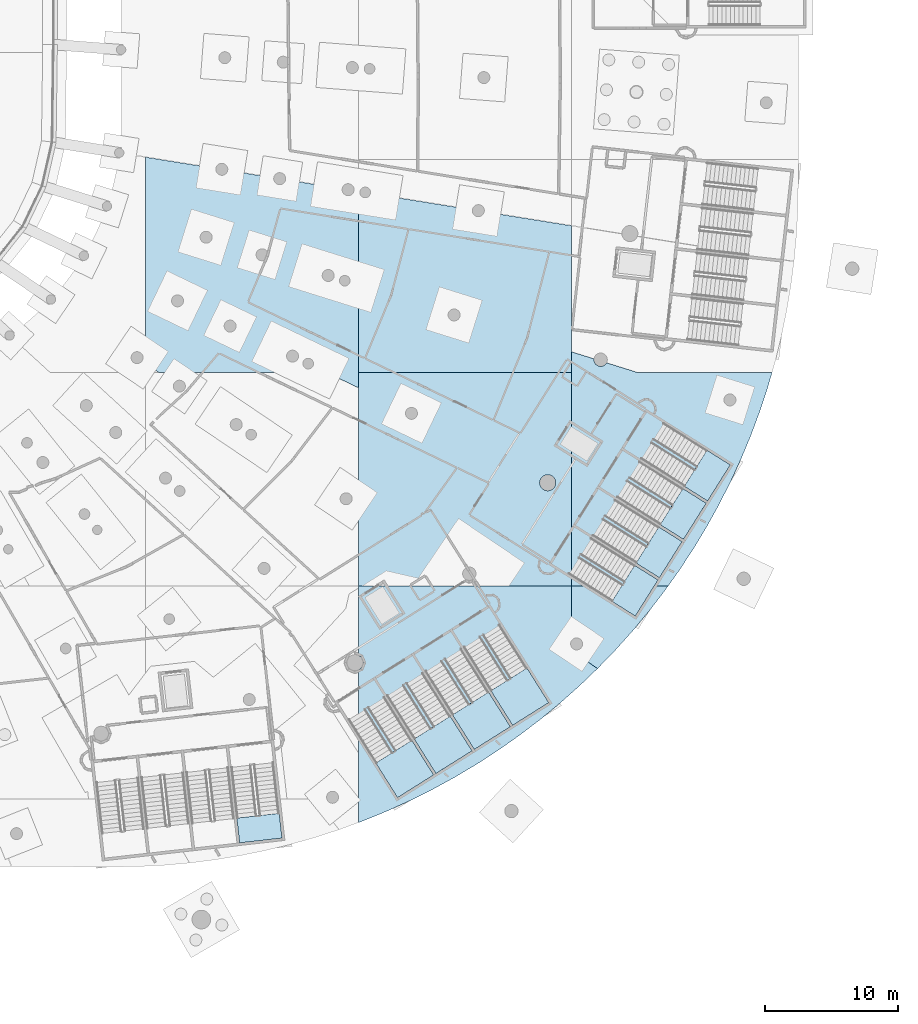
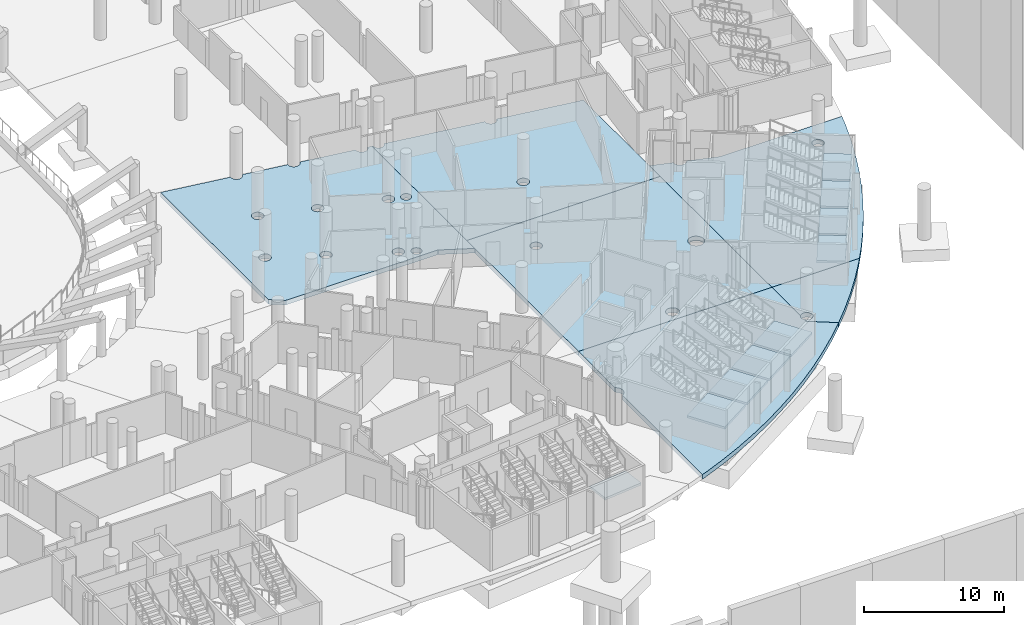
# One storey, part 22 of 142: 15 slabs, 9 elements without a shape of their own.
"""IFC4 building model written with IfcOpenShell, lengths in metres."""

from ifc_helpers import new_model, si_unit, direction, frame, origin, place, context, subcontext, project, spatial, polyline, outline, extrude, material, layer, layer_set, type_object, element, aggregate, save


model = new_model("IFC4")

# Units and contexts
model_context = context("Model", 3, precision=1e-05, world=origin(), true_north=direction((0.0, 1.0)))
body_context = subcontext(model_context, "Body", "Model", "MODEL_VIEW")
ifc_project = project(units=[si_unit("LENGTHUNIT", "METRE"), si_unit("AREAUNIT", "SQUARE_METRE"), si_unit("VOLUMEUNIT", "CUBIC_METRE"), si_unit("PLANEANGLEUNIT", "RADIAN"), si_unit("MASSUNIT", "GRAM", prefix="KILO")], contexts=[model_context])

# Site, building, storey
site_placement = place(None, origin())
site = spatial("IfcSite", under=ifc_project, at=site_placement, CompositionType="ELEMENT")
building_placement = place(site_placement, origin())
building = spatial("IfcBuilding", under=site, at=building_placement, Name="Meseta Stadium", CompositionType="ELEMENT")
storey_placement = place(building_placement, frame((0.0, 0.0, -4.0)))
storey = spatial("IfcBuildingStorey", under=building, at=storey_placement, Name="B1", CompositionType="ELEMENT", Elevation=-4.0)

# Slabs
ifc_material_1 = material(Name="Concrete C30/37", Category="concrete")
ifc_layer_1 = layer(ifc_material_1, 0.39990234375)
ifc_layer_set_1 = layer_set([ifc_layer_1], Name="Base slab 400")
slab_type_1 = type_object("IfcSlabType", Name="Base slab 400", PredefinedType="BASESLAB", material=ifc_layer_set_1)
slab_1_placement = place(storey_placement, frame((0.0, 0.0, -0.39990234375)))
element("IfcSlab", 1, at=slab_1_placement, inside=storey, type_object=slab_type_1, Name="Base slab B1 sector 49 panel 07", PredefinedType="BASESLAB", context=body_context, shape_type="SweptSolid", body=[
    extrude(outline(polyline([(53.489013671875, -49.12255859375), (53.420654296875, -49.06640625), (53.3642578125, -48.997802734375), (53.322509765625, -48.919677734375), (53.296875, -48.834716796875), (53.2880859375, -48.74658203125), (53.294189453125, -48.684814453125), (48.0, -47.83203125), (48.0, -63.2978515625), (49.0400390625, -64.0), (61.614013671875, -64.0), (64.0, -65.1474609375), (64.0, -50.4091796875), (63.662353515625, -50.354736328125), (63.66162109375, -50.361083984375), (63.635986328125, -50.446044921875), (63.593994140625, -50.524169921875), (63.537841796875, -50.5927734375), (63.469482421875, -50.64892578125), (63.39111328125, -50.69091796875), (63.306396484375, -50.716552734375), (63.21826171875, -50.72509765625), (63.1298828125, -50.716552734375), (63.045166015625, -50.69091796875), (62.966796875, -50.64892578125), (62.8984375, -50.5927734375), (62.84228515625, -50.524169921875), (62.80029296875, -50.446044921875), (62.774658203125, -50.361083984375), (62.76611328125, -50.27294921875), (62.772216796875, -50.211181640625), (58.5283203125, -49.52783203125), (58.52783203125, -49.534423828125), (58.502197265625, -49.619140625), (58.460205078125, -49.697509765625), (58.404052734375, -49.765869140625), (58.33544921875, -49.822021484375), (58.25732421875, -49.864013671875), (58.172607421875, -49.8896484375), (58.084228515625, -49.8984375), (57.99609375, -49.8896484375), (57.911376953125, -49.864013671875), (57.8330078125, -49.822021484375), (57.7646484375, -49.765869140625), (57.708251953125, -49.697509765625), (57.66650390625, -49.619140625), (57.640869140625, -49.534423828125), (57.632080078125, -49.4462890625), (57.63818359375, -49.384521484375), (54.184326171875, -48.828125), (54.183837890625, -48.834716796875), (54.157958984375, -48.919677734375), (54.1162109375, -48.997802734375), (54.06005859375, -49.06640625), (53.991455078125, -49.12255859375), (53.913330078125, -49.164306640625), (53.82861328125, -49.18994140625), (53.740234375, -49.19873046875), (53.652099609375, -49.18994140625), (53.5673828125, -49.164306640625), (53.489013671875, -49.12255859375)]), holes=[polyline([(60.6162109375, -63.252197265625), (60.6240234375, -63.33056640625), (60.6162109375, -63.408935546875), (60.593505859375, -63.484375), (60.556396484375, -63.5537109375), (60.50634765625, -63.61474609375), (60.4453125, -63.664794921875), (60.3759765625, -63.701904296875), (60.300537109375, -63.724853515625), (60.22216796875, -63.732421875), (60.143798828125, -63.724853515625), (60.068359375, -63.701904296875), (59.998779296875, -63.664794921875), (59.93798828125, -63.61474609375), (59.887939453125, -63.5537109375), (59.850830078125, -63.484375), (59.827880859375, -63.408935546875), (59.8203125, -63.33056640625), (59.827880859375, -63.252197265625), (59.850830078125, -63.1767578125), (59.887939453125, -63.107177734375), (59.93798828125, -63.04638671875), (59.998779296875, -62.996337890625), (60.068359375, -62.959228515625), (60.143798828125, -62.936279296875), (60.22216796875, -62.9287109375), (60.300537109375, -62.936279296875), (60.3759765625, -62.959228515625), (60.4453125, -62.996337890625), (60.50634765625, -63.04638671875), (60.556396484375, -63.107177734375), (60.593505859375, -63.1767578125), (60.6162109375, -63.252197265625)]), polyline([(59.492431640625, -62.677978515625), (59.501220703125, -62.766357421875), (59.492431640625, -62.8544921875), (59.466796875, -62.939453125), (59.425048828125, -63.017578125), (59.36865234375, -63.086181640625), (59.30029296875, -63.142333984375), (59.221923828125, -63.18408203125), (59.13720703125, -63.209716796875), (59.049072265625, -63.218505859375), (58.960693359375, -63.209716796875), (58.8759765625, -63.18408203125), (58.7978515625, -63.142333984375), (58.729248046875, -63.086181640625), (58.673095703125, -63.017578125), (58.631103515625, -62.939453125), (58.60546875, -62.8544921875), (58.5966796875, -62.766357421875), (58.60546875, -62.677978515625), (58.631103515625, -62.59326171875), (58.673095703125, -62.51513671875), (58.729248046875, -62.446533203125), (58.7978515625, -62.390380859375), (58.8759765625, -62.3486328125), (58.960693359375, -62.322998046875), (59.049072265625, -62.314208984375), (59.13720703125, -62.322998046875), (59.221923828125, -62.3486328125), (59.30029296875, -62.390380859375), (59.36865234375, -62.446533203125), (59.425048828125, -62.51513671875), (59.466796875, -62.59326171875), (59.492431640625, -62.677978515625)]), polyline([(54.807861328125, -60.42529296875), (54.81640625, -60.513427734375), (54.807861328125, -60.6015625), (54.781982421875, -60.686279296875), (54.740234375, -60.7646484375), (54.68408203125, -60.8330078125), (54.615478515625, -60.889404296875), (54.537353515625, -60.93115234375), (54.452392578125, -60.956787109375), (54.3642578125, -60.965576171875), (54.276123046875, -60.956787109375), (54.19140625, -60.93115234375), (54.113037109375, -60.889404296875), (54.044677734375, -60.8330078125), (53.98828125, -60.7646484375), (53.946533203125, -60.686279296875), (53.9208984375, -60.6015625), (53.912109375, -60.513427734375), (53.9208984375, -60.42529296875), (53.946533203125, -60.34033203125), (53.98828125, -60.26220703125), (54.044677734375, -60.193603515625), (54.113037109375, -60.137451171875), (54.19140625, -60.095703125), (54.276123046875, -60.06982421875), (54.3642578125, -60.061279296875), (54.452392578125, -60.06982421875), (54.537353515625, -60.095703125), (54.615478515625, -60.137451171875), (54.68408203125, -60.193603515625), (54.740234375, -60.26220703125), (54.781982421875, -60.34033203125), (54.807861328125, -60.42529296875)]), polyline([(50.85986328125, -58.526611328125), (50.86865234375, -58.61474609375), (50.85986328125, -58.702880859375), (50.834228515625, -58.787841796875), (50.79248046875, -58.865966796875), (50.736083984375, -58.9345703125), (50.667724609375, -58.99072265625), (50.589599609375, -59.032470703125), (50.504638671875, -59.058349609375), (50.41650390625, -59.06689453125), (50.328125, -59.058349609375), (50.243408203125, -59.032470703125), (50.165283203125, -58.99072265625), (50.0966796875, -58.9345703125), (50.04052734375, -58.865966796875), (49.998779296875, -58.787841796875), (49.972900390625, -58.702880859375), (49.96435546875, -58.61474609375), (49.972900390625, -58.526611328125), (49.998779296875, -58.441650390625), (50.04052734375, -58.363525390625), (50.0966796875, -58.294921875), (50.165283203125, -58.23876953125), (50.243408203125, -58.197021484375), (50.328125, -58.17138671875), (50.41650390625, -58.16259765625), (50.504638671875, -58.17138671875), (50.589599609375, -58.197021484375), (50.667724609375, -58.23876953125), (50.736083984375, -58.294921875), (50.79248046875, -58.363525390625), (50.834228515625, -58.441650390625), (50.85986328125, -58.526611328125)]), polyline([(63.247802734375, -56.8203125), (63.2978515625, -56.881103515625), (63.3349609375, -56.95068359375), (63.35791015625, -57.02587890625), (63.365478515625, -57.1044921875), (63.35791015625, -57.182861328125), (63.3349609375, -57.25830078125), (63.2978515625, -57.32763671875), (63.247802734375, -57.388671875), (63.18701171875, -57.438720703125), (63.117431640625, -57.4755859375), (63.0419921875, -57.49853515625), (62.963623046875, -57.50634765625), (62.88525390625, -57.49853515625), (62.809814453125, -57.4755859375), (62.740234375, -57.438720703125), (62.679443359375, -57.388671875), (62.62939453125, -57.32763671875), (62.59228515625, -57.25830078125), (62.5693359375, -57.182861328125), (62.561767578125, -57.1044921875), (62.5693359375, -57.02587890625), (62.59228515625, -56.95068359375), (62.62939453125, -56.881103515625), (62.679443359375, -56.8203125), (62.740234375, -56.770263671875), (62.809814453125, -56.733154296875), (62.88525390625, -56.710205078125), (62.963623046875, -56.702392578125), (63.0419921875, -56.710205078125), (63.117431640625, -56.733154296875), (63.18701171875, -56.770263671875), (63.247802734375, -56.8203125)]), polyline([(62.04296875, -56.395751953125), (62.09912109375, -56.46435546875), (62.140869140625, -56.54248046875), (62.16650390625, -56.627197265625), (62.17529296875, -56.715576171875), (62.16650390625, -56.8037109375), (62.140869140625, -56.888427734375), (62.09912109375, -56.966796875), (62.04296875, -57.03515625), (61.974365234375, -57.09130859375), (61.896240234375, -57.13330078125), (61.811279296875, -57.158935546875), (61.72314453125, -57.16748046875), (61.635009765625, -57.158935546875), (61.550048828125, -57.13330078125), (61.471923828125, -57.09130859375), (61.4033203125, -57.03515625), (61.34716796875, -56.966796875), (61.305419921875, -56.888427734375), (61.27978515625, -56.8037109375), (61.27099609375, -56.715576171875), (61.27978515625, -56.627197265625), (61.305419921875, -56.54248046875), (61.34716796875, -56.46435546875), (61.4033203125, -56.395751953125), (61.471923828125, -56.339599609375), (61.550048828125, -56.297607421875), (61.635009765625, -56.27197265625), (61.72314453125, -56.26318359375), (61.811279296875, -56.27197265625), (61.896240234375, -56.297607421875), (61.974365234375, -56.339599609375), (62.04296875, -56.395751953125)]), polyline([(57.0810546875, -54.840087890625), (57.13720703125, -54.90869140625), (57.17919921875, -54.98681640625), (57.204833984375, -55.071533203125), (57.21337890625, -55.159912109375), (57.204833984375, -55.248046875), (57.17919921875, -55.332763671875), (57.13720703125, -55.410888671875), (57.0810546875, -55.4794921875), (57.012451171875, -55.53564453125), (56.934326171875, -55.577392578125), (56.849609375, -55.603271484375), (56.76123046875, -55.612060546875), (56.673095703125, -55.603271484375), (56.58837890625, -55.577392578125), (56.510009765625, -55.53564453125), (56.441650390625, -55.4794921875), (56.38525390625, -55.410888671875), (56.343505859375, -55.332763671875), (56.31787109375, -55.248046875), (56.30908203125, -55.159912109375), (56.31787109375, -55.071533203125), (56.343505859375, -54.98681640625), (56.38525390625, -54.90869140625), (56.441650390625, -54.840087890625), (56.510009765625, -54.78369140625), (56.58837890625, -54.741943359375), (56.673095703125, -54.71630859375), (56.76123046875, -54.70751953125), (56.849609375, -54.71630859375), (56.934326171875, -54.741943359375), (57.012451171875, -54.78369140625), (57.0810546875, -54.840087890625)]), polyline([(52.882568359375, -53.523681640625), (52.938720703125, -53.59228515625), (52.980712890625, -53.67041015625), (53.00634765625, -53.755126953125), (53.014892578125, -53.843505859375), (53.00634765625, -53.931640625), (52.980712890625, -54.0166015625), (52.938720703125, -54.094482421875), (52.882568359375, -54.1630859375), (52.814208984375, -54.219482421875), (52.73583984375, -54.26123046875), (52.651123046875, -54.286865234375), (52.562744140625, -54.295654296875), (52.474609375, -54.286865234375), (52.389892578125, -54.26123046875), (52.3115234375, -54.219482421875), (52.2431640625, -54.1630859375), (52.18701171875, -54.094482421875), (52.14501953125, -54.0166015625), (52.119384765625, -53.931640625), (52.110595703125, -53.843505859375), (52.119384765625, -53.755126953125), (52.14501953125, -53.67041015625), (52.18701171875, -53.59228515625), (52.2431640625, -53.523681640625), (52.3115234375, -53.46728515625), (52.389892578125, -53.42578125), (52.474609375, -53.39990234375), (52.562744140625, -53.39111328125), (52.651123046875, -53.39990234375), (52.73583984375, -53.42578125), (52.814208984375, -53.46728515625), (52.882568359375, -53.523681640625)])]), origin(), (0.0, 0.0, 1.0), 0.39990234375),
])
slab_2_placement = place(storey_placement, frame((0.0, 0.0, -0.39990234375)))
element("IfcSlab", 2, at=slab_2_placement, inside=storey, type_object=slab_type_1, Name="Base slab B1 sector 49 panel 10", PredefinedType="BASESLAB", context=body_context, shape_type="SweptSolid", body=[
    extrude(outline(polyline([(64.322509765625, -85.888427734375), (64.2880859375, -86.001708984375), (64.232421875, -86.10595703125), (64.157470703125, -86.197265625), (64.066162109375, -86.272216796875), (64.0, -86.3076171875), (64.0, -97.771484375), (64.35009765625, -97.643310546875), (66.127685546875, -96.915771484375), (67.876953125, -96.121826171875), (69.594970703125, -95.262939453125), (71.279296875, -94.340087890625), (72.927978515625, -93.3544921875), (74.53857421875, -92.3076171875), (76.108642578125, -91.201171875), (77.635986328125, -90.036376953125), (79.118408203125, -88.815185546875), (80.55419921875, -87.5390625), (81.940673828125, -86.2099609375), (80.0, -84.89990234375), (80.0, -84.62939453125), (79.989501953125, -84.61669921875), (79.947509765625, -84.538330078125), (79.921875, -84.45361328125), (79.9130859375, -84.365478515625), (79.921875, -84.277099609375), (79.947509765625, -84.1923828125), (79.989501953125, -84.1142578125), (80.0, -84.101318359375), (80.0, -80.0), (64.0, -80.0), (64.0, -85.234130859375), (64.066162109375, -85.26953125), (64.157470703125, -85.344482421875), (64.232421875, -85.43603515625), (64.2880859375, -85.540283203125), (64.322509765625, -85.6533203125), (64.333984375, -85.77099609375), (64.322509765625, -85.888427734375)])), origin(), (0.0, 0.0, 1.0), 0.39990234375),
])
slab_3_placement = place(storey_placement, frame((0.0, 0.0, -0.39990234375)))
element("IfcSlab", 3, at=slab_3_placement, inside=storey, type_object=slab_type_1, Name="Base slab B1 sector 49 panel 11", PredefinedType="BASESLAB", context=body_context, shape_type="SweptSolid", body=[
    extrude(outline(polyline([(64.0, -64.0), (80.0, -64.0), (80.0, -52.98583984375), (73.436279296875, -51.9287109375), (73.435791015625, -51.935302734375), (73.409912109375, -52.020263671875), (73.3681640625, -52.098388671875), (73.31201171875, -52.1669921875), (73.243408203125, -52.22314453125), (73.165283203125, -52.264892578125), (73.080322265625, -52.290771484375), (72.9921875, -52.29931640625), (72.904052734375, -52.290771484375), (72.819091796875, -52.264892578125), (72.740966796875, -52.22314453125), (72.672607421875, -52.1669921875), (72.6162109375, -52.098388671875), (72.574462890625, -52.020263671875), (72.548583984375, -51.935302734375), (72.5400390625, -51.84716796875), (72.546142578125, -51.785400390625), (64.896240234375, -50.553466796875), (64.895751953125, -50.55810546875), (64.873046875, -50.633544921875), (64.835693359375, -50.702880859375), (64.785888671875, -50.763916015625), (64.724853515625, -50.81396484375), (64.655517578125, -50.85107421875), (64.580078125, -50.873779296875), (64.501708984375, -50.881591796875), (64.423095703125, -50.873779296875), (64.347900390625, -50.85107421875), (64.2783203125, -50.81396484375), (64.21728515625, -50.763916015625), (64.16748046875, -50.702880859375), (64.13037109375, -50.633544921875), (64.107421875, -50.55810546875), (64.099609375, -50.479736328125), (64.10498046875, -50.426025390625), (64.0, -50.4091796875), (64.0, -64.0)]), holes=[polyline([(70.751953125, -59.850341796875), (70.726318359375, -59.765380859375), (70.717529296875, -59.67724609375), (70.726318359375, -59.589111328125), (70.751953125, -59.504150390625), (70.793701171875, -59.426025390625), (70.85009765625, -59.357421875), (70.91845703125, -59.30126953125), (70.99658203125, -59.259521484375), (71.08154296875, -59.23388671875), (71.169677734375, -59.22509765625), (71.2578125, -59.23388671875), (71.3427734375, -59.259521484375), (71.4208984375, -59.30126953125), (71.489501953125, -59.357421875), (71.545654296875, -59.426025390625), (71.58740234375, -59.504150390625), (71.61328125, -59.589111328125), (71.621826171875, -59.67724609375), (71.61328125, -59.765380859375), (71.58740234375, -59.850341796875), (71.545654296875, -59.928466796875), (71.489501953125, -59.9970703125), (71.4208984375, -60.05322265625), (71.3427734375, -60.094970703125), (71.2578125, -60.120849609375), (71.169677734375, -60.12939453125), (71.08154296875, -60.120849609375), (70.99658203125, -60.094970703125), (70.91845703125, -60.05322265625), (70.85009765625, -59.9970703125), (70.793701171875, -59.928466796875), (70.751953125, -59.850341796875)])]), origin(), (0.0, 0.0, 1.0), 0.39990234375),
])
slab_4_placement = place(storey_placement, frame((0.0, 0.0, -0.39990234375)))
element("IfcSlab", 4, at=slab_4_placement, inside=storey, type_object=slab_type_1, Name="Base slab B1 sector 49 panel 12", PredefinedType="BASESLAB", context=body_context, shape_type="SweptSolid", body=[
    extrude(outline(polyline([(64.0, -80.0), (80.0, -80.0), (80.0, -64.0), (64.0, -64.0), (64.0, -80.0)]), holes=[polyline([(67.52880859375, -66.969482421875), (67.5546875, -66.884765625), (67.596435546875, -66.806640625), (67.652587890625, -66.738037109375), (67.72119140625, -66.681884765625), (67.79931640625, -66.64013671875), (67.88427734375, -66.614501953125), (67.972412109375, -66.605712890625), (68.060546875, -66.614501953125), (68.1455078125, -66.64013671875), (68.2236328125, -66.681884765625), (68.292236328125, -66.738037109375), (68.348388671875, -66.806640625), (68.39013671875, -66.884765625), (68.416015625, -66.969482421875), (68.424560546875, -67.057861328125), (68.416015625, -67.14599609375), (68.39013671875, -67.23095703125), (68.348388671875, -67.30908203125), (68.292236328125, -67.377685546875), (68.2236328125, -67.433837890625), (68.1455078125, -67.4755859375), (68.060546875, -67.501220703125), (67.972412109375, -67.510009765625), (67.88427734375, -67.501220703125), (67.79931640625, -67.4755859375), (67.72119140625, -67.433837890625), (67.652587890625, -67.377685546875), (67.596435546875, -67.30908203125), (67.5546875, -67.23095703125), (67.52880859375, -67.14599609375), (67.520263671875, -67.057861328125), (67.52880859375, -66.969482421875)]), polyline([(77.696533203125, -71.93701171875), (77.771484375, -71.845703125), (77.863037109375, -71.770751953125), (77.96728515625, -71.715087890625), (78.080322265625, -71.6806640625), (78.197998046875, -71.669189453125), (78.3154296875, -71.6806640625), (78.4287109375, -71.715087890625), (78.532958984375, -71.770751953125), (78.624267578125, -71.845703125), (78.69921875, -71.93701171875), (78.7548828125, -72.041259765625), (78.789306640625, -72.154296875), (78.80078125, -72.27197265625), (78.789306640625, -72.3896484375), (78.7548828125, -72.502685546875), (78.69921875, -72.60693359375), (78.624267578125, -72.6982421875), (78.532958984375, -72.773193359375), (78.4287109375, -72.8291015625), (78.3154296875, -72.86328125), (78.197998046875, -72.875), (78.080322265625, -72.86328125), (77.96728515625, -72.8291015625), (77.863037109375, -72.773193359375), (77.771484375, -72.6982421875), (77.696533203125, -72.60693359375), (77.640869140625, -72.502685546875), (77.606689453125, -72.3896484375), (77.594970703125, -72.27197265625), (77.606689453125, -72.154296875), (77.640869140625, -72.041259765625), (77.696533203125, -71.93701171875)]), polyline([(72.776123046875, -79.283203125), (72.729736328125, -79.3701171875), (72.667236328125, -79.4462890625), (72.591064453125, -79.5087890625), (72.504150390625, -79.55517578125), (72.409912109375, -79.583740234375), (72.31201171875, -79.593505859375), (72.2138671875, -79.583740234375), (72.11962890625, -79.55517578125), (72.03271484375, -79.5087890625), (71.956787109375, -79.4462890625), (71.894287109375, -79.3701171875), (71.847900390625, -79.283203125), (71.819091796875, -79.18896484375), (71.8095703125, -79.091064453125), (71.819091796875, -78.992919921875), (71.847900390625, -78.898681640625), (71.894287109375, -78.81201171875), (71.956787109375, -78.735595703125), (72.03271484375, -78.67333984375), (72.11962890625, -78.626708984375), (72.2138671875, -78.59814453125), (72.31201171875, -78.588623046875), (72.409912109375, -78.59814453125), (72.504150390625, -78.626708984375), (72.591064453125, -78.67333984375), (72.667236328125, -78.735595703125), (72.729736328125, -78.81201171875), (72.776123046875, -78.898681640625), (72.8046875, -78.992919921875), (72.814453125, -79.091064453125), (72.8046875, -79.18896484375), (72.776123046875, -79.283203125)])]), origin(), (0.0, 0.0, 1.0), 0.39990234375),
])
slab_5_placement = place(storey_placement, frame((0.0, 0.0, -0.39990234375)))
element("IfcSlab", 5, at=slab_5_placement, inside=storey, type_object=slab_type_1, Name="Base slab B1 sector 49 panel 13", PredefinedType="BASESLAB", context=body_context, shape_type="SweptSolid", body=[
    extrude(outline(polyline([(85.787841796875, -81.923828125), (86.9599609375, -80.402099609375), (87.246337890625, -80.0), (80.0, -80.0), (80.0, -84.101318359375), (80.045654296875, -84.045654296875), (80.1142578125, -83.989501953125), (80.1923828125, -83.947509765625), (80.277099609375, -83.921875), (80.365478515625, -83.9130859375), (80.45361328125, -83.921875), (80.538330078125, -83.947509765625), (80.61669921875, -83.989501953125), (80.68505859375, -84.045654296875), (80.741455078125, -84.1142578125), (80.783203125, -84.1923828125), (80.808837890625, -84.277099609375), (80.817626953125, -84.365478515625), (80.808837890625, -84.45361328125), (80.783203125, -84.538330078125), (80.741455078125, -84.61669921875), (80.68505859375, -84.68505859375), (80.61669921875, -84.741455078125), (80.538330078125, -84.783203125), (80.45361328125, -84.808837890625), (80.365478515625, -84.817626953125), (80.277099609375, -84.808837890625), (80.1923828125, -84.783203125), (80.1142578125, -84.741455078125), (80.045654296875, -84.68505859375), (80.0, -84.62939453125), (80.0, -84.89990234375), (81.940673828125, -86.2099609375), (83.276611328125, -84.829833984375), (84.5595703125, -83.400390625), (85.787841796875, -81.923828125)])), origin(), (0.0, 0.0, 1.0), 0.39990234375),
])
slab_6_placement = place(storey_placement, frame((0.0, 0.0, -0.39990234375)))
element("IfcSlab", 6, at=slab_6_placement, inside=storey, type_object=slab_type_1, Name="Base slab B1 sector 49 panel 14", PredefinedType="BASESLAB", context=body_context, shape_type="SweptSolid", body=[
    extrude(outline(polyline([(82.071044921875, -63.526611328125), (81.976806640625, -63.498046875), (81.889892578125, -63.45166015625), (81.81396484375, -63.38916015625), (81.75146484375, -63.31298828125), (81.704833984375, -63.22607421875), (81.676513671875, -63.1318359375), (81.666748046875, -63.03369140625), (81.673095703125, -62.970458984375), (80.0, -62.44580078125), (80.0, -80.0), (87.246337890625, -80.0), (88.073974609375, -78.837646484375), (89.12841796875, -77.232421875), (90.121826171875, -75.58837890625), (91.052978515625, -73.908447265625), (91.920166015625, -72.19482421875), (92.722412109375, -70.44970703125), (93.458740234375, -68.67578125), (94.127685546875, -66.875244140625), (94.728759765625, -65.051025390625), (95.03173828125, -64.0), (84.956787109375, -64.0), (82.612548828125, -63.264892578125), (82.5869140625, -63.31298828125), (82.5244140625, -63.38916015625), (82.4482421875, -63.45166015625), (82.361328125, -63.498046875), (82.26708984375, -63.526611328125), (82.169189453125, -63.5361328125), (82.071044921875, -63.526611328125)]), holes=[polyline([(91.496826171875, -66.302734375), (91.455078125, -66.224609375), (91.42919921875, -66.139892578125), (91.420654296875, -66.051513671875), (91.42919921875, -65.96337890625), (91.455078125, -65.87841796875), (91.496826171875, -65.80029296875), (91.552978515625, -65.731689453125), (91.62158203125, -65.675537109375), (91.69970703125, -65.6337890625), (91.784423828125, -65.608154296875), (91.872802734375, -65.599365234375), (91.9609375, -65.608154296875), (92.0458984375, -65.6337890625), (92.123779296875, -65.675537109375), (92.1923828125, -65.731689453125), (92.248779296875, -65.80029296875), (92.29052734375, -65.87841796875), (92.316162109375, -65.96337890625), (92.324951171875, -66.051513671875), (92.316162109375, -66.139892578125), (92.29052734375, -66.224609375), (92.248779296875, -66.302734375), (92.1923828125, -66.371337890625), (92.123779296875, -66.427490234375), (92.0458984375, -66.46923828125), (91.9609375, -66.4951171875), (91.872802734375, -66.503662109375), (91.784423828125, -66.4951171875), (91.69970703125, -66.46923828125), (91.62158203125, -66.427490234375), (91.552978515625, -66.371337890625), (91.496826171875, -66.302734375)])]), origin(), (0.0, 0.0, 1.0), 0.39990234375),
])

# Stair, slab
ifc_material_2 = material(Name="Concrete C40/50", Category="concrete")
stair_type = type_object("IfcStairType", Name="Exit stair 2 flights 154 mm risers", PredefinedType="HALF_TURN_STAIR", material=ifc_material_2)
stair_1_placement = place(storey_placement, origin())
stair_1 = element("IfcStair", 7, at=stair_1_placement, inside=storey, type_object=stair_type, Name="ST104 B1", PredefinedType="HALF_TURN_STAIR")
ifc_material_3 = material(Name="Concrete C40/50", Category="concrete")
ifc_layer_2 = layer(ifc_material_3, 0.199951171875)
ifc_layer_set_2 = layer_set([ifc_layer_2], Name="Stair landing 200")
slab_type_2 = type_object("IfcSlabType", Name="Stair landing 200", PredefinedType="LANDING", material=ifc_layer_set_2)
slab_7_placement = place(storey_placement, frame((0.0, 0.0, 1.800048828125)))
slab_7 = element("IfcSlab", 8, at=slab_7_placement, type_object=slab_type_2, Name="ST104 B1 landing 1", PredefinedType="LANDING", context=body_context, shape_type="SweptSolid", body=[
    extrude(outline(polyline([(54.866943359375, -97.435546875), (55.076171875, -99.293701171875), (58.256103515625, -98.935546875), (58.046630859375, -97.0771484375), (54.866943359375, -97.435546875)])), origin(), (0.0, 0.0, 1.0), 0.199951171875),
])
aggregate(stair_1, [slab_7])

stair_2_placement = place(storey_placement, origin())
stair_2 = element("IfcStair", 9, at=stair_2_placement, inside=storey, type_object=stair_type, Name="ST105 B1", PredefinedType="HALF_TURN_STAIR")
slab_8_placement = place(storey_placement, frame((0.0, 0.0, 1.800048828125)))
slab_8 = element("IfcSlab", 10, at=slab_8_placement, type_object=slab_type_2, Name="ST105 B1 landing 1", PredefinedType="LANDING", context=body_context, shape_type="SweptSolid", body=[
    extrude(outline(polyline([(65.295166015625, -93.30126953125), (66.928466796875, -95.90087890625), (69.63818359375, -94.1982421875), (68.004638671875, -91.598876953125), (65.295166015625, -93.30126953125)])), origin(), (0.0, 0.0, 1.0), 0.199951171875),
])
aggregate(stair_2, [slab_8])

stair_3_placement = place(storey_placement, origin())
stair_3 = element("IfcStair", 11, at=stair_3_placement, inside=storey, type_object=stair_type, Name="ST106 B1", PredefinedType="HALF_TURN_STAIR")
slab_9_placement = place(storey_placement, frame((0.0, 0.0, 1.800048828125)))
slab_9 = element("IfcSlab", 12, at=slab_9_placement, type_object=slab_type_2, Name="ST106 B1 landing 1", PredefinedType="LANDING", context=body_context, shape_type="SweptSolid", body=[
    extrude(outline(polyline([(68.174072265625, -91.492431640625), (69.807373046875, -94.091796875), (72.516845703125, -92.389404296875), (70.883544921875, -89.7900390625), (68.174072265625, -91.492431640625)])), origin(), (0.0, 0.0, 1.0), 0.199951171875),
])
aggregate(stair_3, [slab_9])

stair_4_placement = place(storey_placement, origin())
stair_4 = element("IfcStair", 13, at=stair_4_placement, inside=storey, type_object=stair_type, Name="ST107 B1", PredefinedType="HALF_TURN_STAIR")
slab_10_placement = place(storey_placement, frame((0.0, 0.0, 1.800048828125)))
slab_10 = element("IfcSlab", 14, at=slab_10_placement, type_object=slab_type_2, Name="ST107 B1 landing 1", PredefinedType="LANDING", context=body_context, shape_type="SweptSolid", body=[
    extrude(outline(polyline([(71.052978515625, -89.68359375), (72.686279296875, -92.282958984375), (75.395751953125, -90.58056640625), (73.762451171875, -87.98095703125), (71.052978515625, -89.68359375)])), origin(), (0.0, 0.0, 1.0), 0.199951171875),
])
aggregate(stair_4, [slab_10])

stair_5_placement = place(storey_placement, origin())
stair_5 = element("IfcStair", 15, at=stair_5_placement, inside=storey, type_object=stair_type, Name="ST108 B1", PredefinedType="HALF_TURN_STAIR")
slab_11_placement = place(storey_placement, frame((0.0, 0.0, 1.800048828125)))
slab_11 = element("IfcSlab", 16, at=slab_11_placement, type_object=slab_type_2, Name="ST108 B1 landing 1", PredefinedType="LANDING", context=body_context, shape_type="SweptSolid", body=[
    extrude(outline(polyline([(73.931884765625, -87.874755859375), (75.565185546875, -90.47412109375), (78.274658203125, -88.771484375), (76.641357421875, -86.172119140625), (73.931884765625, -87.874755859375)])), origin(), (0.0, 0.0, 1.0), 0.199951171875),
])
aggregate(stair_5, [slab_11])

stair_6_placement = place(storey_placement, origin())
stair_6 = element("IfcStair", 17, at=stair_6_placement, inside=storey, type_object=stair_type, Name="ST109 B1", PredefinedType="HALF_TURN_STAIR")
slab_12_placement = place(storey_placement, frame((0.0, 0.0, 1.800048828125)))
slab_12 = element("IfcSlab", 18, at=slab_12_placement, type_object=slab_type_2, Name="ST109 B1 landing 1", PredefinedType="LANDING", context=body_context, shape_type="SweptSolid", body=[
    extrude(outline(polyline([(83.018798828125, -81.17333984375), (84.771484375, -82.274658203125), (86.47412109375, -79.565185546875), (84.721435546875, -78.4638671875), (83.018798828125, -81.17333984375)])), origin(), (0.0, 0.0, 1.0), 0.199951171875),
])
aggregate(stair_6, [slab_12])

stair_7_placement = place(storey_placement, origin())
stair_7 = element("IfcStair", 19, at=stair_7_placement, inside=storey, type_object=stair_type, Name="ST110 B1", PredefinedType="HALF_TURN_STAIR")
slab_13_placement = place(storey_placement, frame((0.0, 0.0, 1.800048828125)))
slab_13 = element("IfcSlab", 20, at=slab_13_placement, type_object=slab_type_2, Name="ST110 B1 landing 1", PredefinedType="LANDING", context=body_context, shape_type="SweptSolid", body=[
    extrude(outline(polyline([(84.827880859375, -78.29443359375), (86.58056640625, -79.395751953125), (88.282958984375, -76.686279296875), (86.5302734375, -75.5849609375), (84.827880859375, -78.29443359375)])), origin(), (0.0, 0.0, 1.0), 0.199951171875),
])
aggregate(stair_7, [slab_13])

stair_8_placement = place(storey_placement, origin())
stair_8 = element("IfcStair", 21, at=stair_8_placement, inside=storey, type_object=stair_type, Name="ST111 B1", PredefinedType="HALF_TURN_STAIR")
slab_14_placement = place(storey_placement, frame((0.0, 0.0, 1.800048828125)))
slab_14 = element("IfcSlab", 22, at=slab_14_placement, type_object=slab_type_2, Name="ST111 B1 landing 1", PredefinedType="LANDING", context=body_context, shape_type="SweptSolid", body=[
    extrude(outline(polyline([(86.63671875, -75.41552734375), (88.389404296875, -76.516845703125), (90.091796875, -73.807373046875), (88.339111328125, -72.7060546875), (86.63671875, -75.41552734375)])), origin(), (0.0, 0.0, 1.0), 0.199951171875),
])
aggregate(stair_8, [slab_14])

stair_9_placement = place(storey_placement, origin())
stair_9 = element("IfcStair", 23, at=stair_9_placement, inside=storey, type_object=stair_type, Name="ST112 B1", PredefinedType="HALF_TURN_STAIR")
slab_15_placement = place(storey_placement, frame((0.0, 0.0, 1.800048828125)))
slab_15 = element("IfcSlab", 24, at=slab_15_placement, type_object=slab_type_2, Name="ST112 B1 landing 1", PredefinedType="LANDING", context=body_context, shape_type="SweptSolid", body=[
    extrude(outline(polyline([(88.445556640625, -72.536865234375), (90.1982421875, -73.63818359375), (91.90087890625, -70.928466796875), (90.148193359375, -69.8271484375), (88.445556640625, -72.536865234375)])), origin(), (0.0, 0.0, 1.0), 0.199951171875),
])
aggregate(stair_9, [slab_15])

save(model, "model.ifc")
